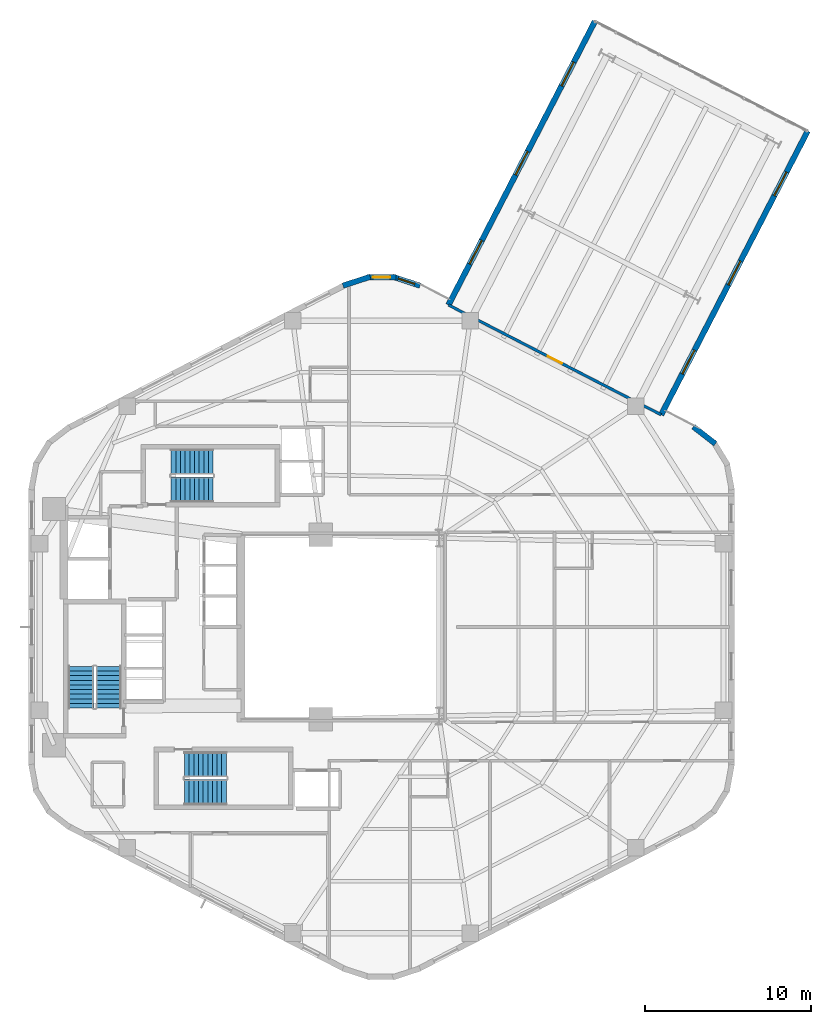
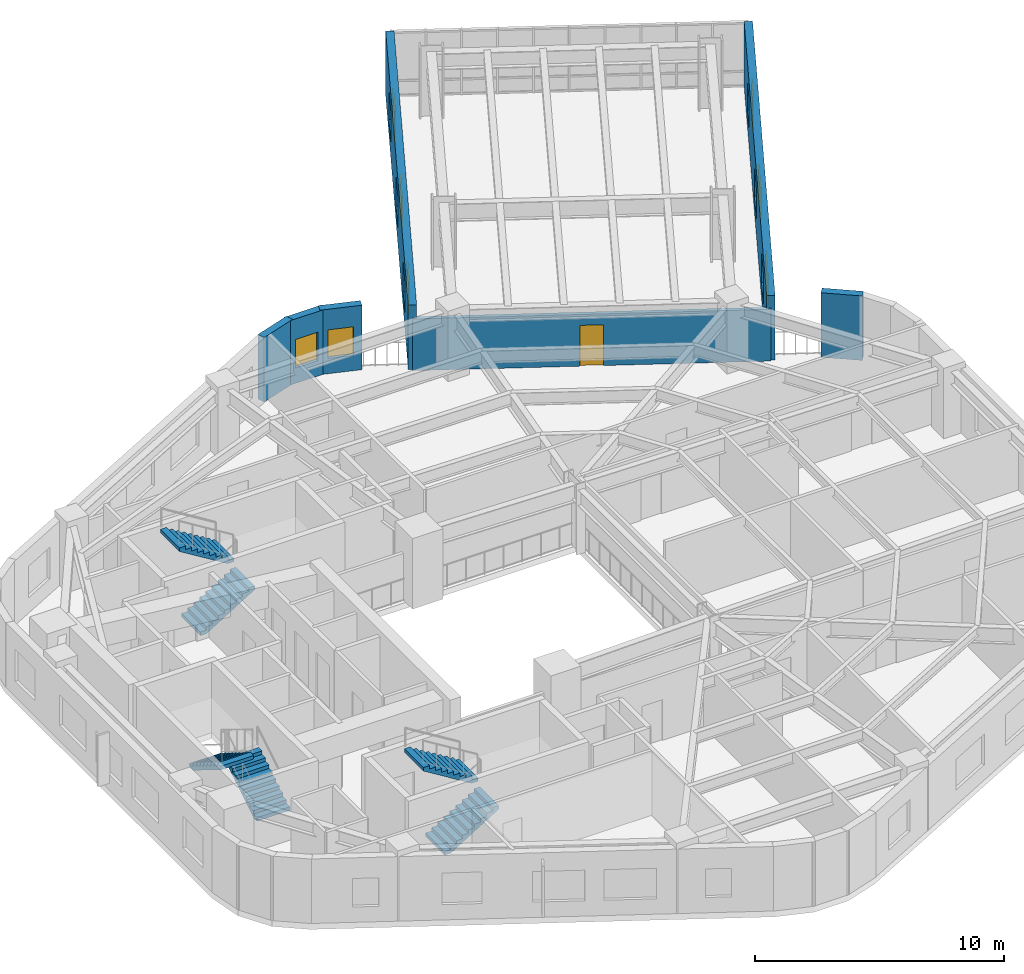
# One storey, part 8 of 10: 8 windows, 7 walls, 6 stair flights, 1 door, 9 openings, 3 elements without a shape of their own.
"""IFC4 building model written with IfcOpenShell, lengths in metres."""

from ifc_helpers import new_model, si_unit, direction, frame, frame_2d, origin, place, context, subcontext, project, spatial, polyline, rectangle, outline, extrude, material, layer, layer_set, type_object, element, fill, aggregate, save


model = new_model("IFC4")

# Units and contexts
model_context = context("Model", 3, precision=1e-05, world=origin(), true_north=direction((0.0, 1.0)))
body_context = subcontext(model_context, "Body", "Model", "MODEL_VIEW")
ifc_project = project(units=[si_unit("LENGTHUNIT", "METRE"), si_unit("AREAUNIT", "SQUARE_METRE"), si_unit("VOLUMEUNIT", "CUBIC_METRE"), si_unit("PLANEANGLEUNIT", "RADIAN"), si_unit("MASSUNIT", "GRAM", prefix="KILO"), si_unit("THERMODYNAMICTEMPERATUREUNIT", "KELVIN"), si_unit("POWERUNIT", "WATT")], contexts=[model_context])

# Site, building, storey
site_placement = place(None, origin())
site = spatial("IfcSite", under=ifc_project, at=site_placement, CompositionType="ELEMENT")
building_placement = place(site_placement, origin())
building = spatial("IfcBuilding", under=site, at=building_placement, Name="Skarre Station Tower", CompositionType="ELEMENT")
storey_placement = place(building_placement, frame((0.0, 0.0, 115.35009765625)))
storey = spatial("IfcBuildingStorey", under=building, at=storey_placement, Name="L30", CompositionType="ELEMENT", Elevation=115.35009765625)

# Wall, openings, windows
ifc_material_1 = material(Name="Precast concrete C45/55", Category="concrete")
ifc_layer_1 = layer(ifc_material_1, 0.340087890625, Name="Precast concrete C45/55")
ifc_layer_set_1 = layer_set([ifc_layer_1], Name="Precast concrete C45/55")
wall_type_1 = type_object("IfcWallType", Name="Nordic Honed Precast Facet Wall 340", PredefinedType="STANDARD", material=ifc_layer_set_1)
wall_1_placement = place(storey_placement, frame((61.6298828125, 53.827880859375, 0.0), z_axis=(0.0, 0.0, 1.0), x_axis=(-0.458697010696, -0.888592737073, 0.0)))
wall_1 = element("IfcWall", 1, at=wall_1_placement, inside=storey, type_object=wall_type_1, Name="L30 SB-2 Side 1 Precast Wall", PredefinedType="STANDARD", context=body_context, shape_type="SweptSolid", body=[
    extrude(rectangle(XDim=19.19970703125, YDim=0.340087890625, at=frame_2d((9.599853515625, 0.0))), origin(), (0.0, 0.0, 1.0), 3.159912109375),
])
opening_1_placement = place(wall_1_placement, frame((2.76708984375, 0.0, 0.75)))
opening_1 = element("IfcOpeningElement", 2, at=opening_1_placement, cuts=wall_1, Name="Opening WN-Z2A", PredefinedType="OPENING", context=body_context, shape_type="SweptSolid", body=[
    extrude(rectangle(XDim=1.60009765625, YDim=1.550048828125, at=frame_2d((0.800048828125, 0.77490234375))), frame((0.0, 0.179931640625, 0.0), z_axis=(0.0, -1.0, 0.0), x_axis=(1.0, 0.0, 0.0)), (0.0, 0.0, 1.0), 0.360107421875),
])
opening_2_placement = place(wall_1_placement, frame((8.800048828125, 0.0, 0.75)))
opening_2 = element("IfcOpeningElement", 3, at=opening_2_placement, cuts=wall_1, Name="Opening WN-Z2A", PredefinedType="OPENING", context=body_context, shape_type="SweptSolid", body=[
    extrude(rectangle(XDim=1.60009765625, YDim=1.550048828125, at=frame_2d((0.800048828125, 0.77490234375))), frame((0.0, 0.179931640625, 0.0), z_axis=(0.0, -1.0, 0.0), x_axis=(1.0, 0.0, 0.0)), (0.0, 0.0, 1.0), 0.360107421875),
])
opening_3_placement = place(wall_1_placement, frame((14.8330078125, 0.0, 0.75)))
opening_3 = element("IfcOpeningElement", 4, at=opening_3_placement, cuts=wall_1, Name="Opening WN-Z2A", PredefinedType="OPENING", context=body_context, shape_type="SweptSolid", body=[
    extrude(rectangle(XDim=1.60009765625, YDim=1.550048828125, at=frame_2d((0.800048828125, 0.77490234375))), frame((0.0, 0.179931640625, 0.0), z_axis=(0.0, -1.0, 0.0), x_axis=(1.0, 0.0, 0.0)), (0.0, 0.0, 1.0), 0.360107421875),
])
ifc_material_2 = material(Name="Low-Iron Triple Glazing with Bronze Anodized Frame", Category="glass")
window_type_1 = type_object("IfcWindowType", Name="Nordic Residential Tall Window 1600x1550", PartitioningType="SINGLE_PANEL", PredefinedType="WINDOW", material=ifc_material_2)
window_1_placement = place(opening_1_placement, origin())
window_1 = element("IfcWindow", 5, at=window_1_placement, inside=storey, type_object=window_type_1, Name="L30 Facade Window WL-SB-2-L30-S1-1", OverallHeight=1.550048828125, OverallWidth=1.60009765625, PartitioningType="SINGLE_PANEL", PredefinedType="WINDOW", context=body_context, shape_type="SweptSolid", body=[
    extrude(rectangle(XDim=1.60009765625, YDim=1.550048828125, at=frame_2d((0.800048828125, 0.77490234375))), frame((0.0, 0.030029296875, 0.0), z_axis=(0.0, -1.0, 0.0), x_axis=(1.0, 0.0, 0.0)), (0.0, 0.0, 1.0), 0.06005859375),
])
fill(opening_1, window_1)
window_2_placement = place(opening_2_placement, origin())
window_2 = element("IfcWindow", 6, at=window_2_placement, inside=storey, type_object=window_type_1, Name="L30 Facade Window WL-SB-2-L30-S1-2", OverallHeight=1.550048828125, OverallWidth=1.60009765625, PartitioningType="SINGLE_PANEL", PredefinedType="WINDOW", context=body_context, shape_type="SweptSolid", body=[
    extrude(rectangle(XDim=1.60009765625, YDim=1.550048828125, at=frame_2d((0.800048828125, 0.77490234375))), frame((0.0, 0.030029296875, 0.0), z_axis=(0.0, -1.0, 0.0), x_axis=(1.0, 0.0, 0.0)), (0.0, 0.0, 1.0), 0.06005859375),
])
fill(opening_2, window_2)
window_3_placement = place(opening_3_placement, origin())
window_3 = element("IfcWindow", 7, at=window_3_placement, inside=storey, type_object=window_type_1, Name="L30 Facade Window WL-SB-2-L30-S1-3", OverallHeight=1.550048828125, OverallWidth=1.60009765625, PartitioningType="SINGLE_PANEL", PredefinedType="WINDOW", context=body_context, shape_type="SweptSolid", body=[
    extrude(rectangle(XDim=1.60009765625, YDim=1.550048828125, at=frame_2d((0.800048828125, 0.77490234375))), frame((0.0, 0.030029296875, 0.0), z_axis=(0.0, -1.0, 0.0), x_axis=(1.0, 0.0, 0.0)), (0.0, 0.0, 1.0), 0.06005859375),
])
fill(opening_3, window_3)

wall_2_placement = place(storey_placement, frame((40.028076171875, 43.3720703125, 0.0), z_axis=(0.0, 0.0, 1.0), x_axis=(0.45865166523, 0.888616143215, 0.0)))
wall_2 = element("IfcWall", 8, at=wall_2_placement, inside=storey, type_object=wall_type_1, Name="L30 SB-2 Side 2 Precast Wall", PredefinedType="STANDARD", context=body_context, shape_type="SweptSolid", body=[
    extrude(rectangle(XDim=19.199462890625, YDim=0.340087890625, at=frame_2d((9.599609375, 0.0))), origin(), (0.0, 0.0, 1.0), 3.159912109375),
])
opening_4_placement = place(wall_2_placement, frame((2.76708984375, 0.0, 0.75)))
opening_4 = element("IfcOpeningElement", 9, at=opening_4_placement, cuts=wall_2, Name="Opening WN-Z2A", PredefinedType="OPENING", context=body_context, shape_type="SweptSolid", body=[
    extrude(rectangle(XDim=1.60009765625, YDim=1.550048828125, at=frame_2d((0.800048828125, 0.77490234375))), frame((0.0, 0.179931640625, 0.0), z_axis=(0.0, -1.0, 0.0), x_axis=(1.0, 0.0, 0.0)), (0.0, 0.0, 1.0), 0.360107421875),
])
opening_5_placement = place(wall_2_placement, frame((8.800048828125, 0.0, 0.75)))
opening_5 = element("IfcOpeningElement", 10, at=opening_5_placement, cuts=wall_2, Name="Opening WN-Z2A", PredefinedType="OPENING", context=body_context, shape_type="SweptSolid", body=[
    extrude(rectangle(XDim=1.60009765625, YDim=1.550048828125, at=frame_2d((0.800048828125, 0.77490234375))), frame((0.0, 0.179931640625, 0.0), z_axis=(0.0, -1.0, 0.0), x_axis=(1.0, 0.0, 0.0)), (0.0, 0.0, 1.0), 0.360107421875),
])
opening_6_placement = place(wall_2_placement, frame((14.8330078125, 0.0, 0.75)))
opening_6 = element("IfcOpeningElement", 11, at=opening_6_placement, cuts=wall_2, Name="Opening WN-Z2A", PredefinedType="OPENING", context=body_context, shape_type="SweptSolid", body=[
    extrude(rectangle(XDim=1.60009765625, YDim=1.550048828125, at=frame_2d((0.800048828125, 0.77490234375))), frame((0.0, 0.179931640625, 0.0), z_axis=(0.0, -1.0, 0.0), x_axis=(1.0, 0.0, 0.0)), (0.0, 0.0, 1.0), 0.360107421875),
])
window_4_placement = place(opening_4_placement, origin())
window_4 = element("IfcWindow", 12, at=window_4_placement, inside=storey, type_object=window_type_1, Name="L30 Facade Window WL-SB-2-L30-S2-1", OverallHeight=1.550048828125, OverallWidth=1.60009765625, PartitioningType="SINGLE_PANEL", PredefinedType="WINDOW", context=body_context, shape_type="SweptSolid", body=[
    extrude(rectangle(XDim=1.60009765625, YDim=1.550048828125, at=frame_2d((0.800048828125, 0.77490234375))), frame((0.0, 0.030029296875, 0.0), z_axis=(0.0, -1.0, 0.0), x_axis=(1.0, 0.0, 0.0)), (0.0, 0.0, 1.0), 0.06005859375),
])
fill(opening_4, window_4)
window_5_placement = place(opening_5_placement, origin())
window_5 = element("IfcWindow", 13, at=window_5_placement, inside=storey, type_object=window_type_1, Name="L30 Facade Window WL-SB-2-L30-S2-2", OverallHeight=1.550048828125, OverallWidth=1.60009765625, PartitioningType="SINGLE_PANEL", PredefinedType="WINDOW", context=body_context, shape_type="SweptSolid", body=[
    extrude(rectangle(XDim=1.60009765625, YDim=1.550048828125, at=frame_2d((0.800048828125, 0.77490234375))), frame((0.0, 0.030029296875, 0.0), z_axis=(0.0, -1.0, 0.0), x_axis=(1.0, 0.0, 0.0)), (0.0, 0.0, 1.0), 0.06005859375),
])
fill(opening_5, window_5)
window_6_placement = place(opening_6_placement, origin())
window_6 = element("IfcWindow", 14, at=window_6_placement, inside=storey, type_object=window_type_1, Name="L30 Facade Window WL-SB-2-L30-S2-3", OverallHeight=1.550048828125, OverallWidth=1.60009765625, PartitioningType="SINGLE_PANEL", PredefinedType="WINDOW", context=body_context, shape_type="SweptSolid", body=[
    extrude(rectangle(XDim=1.60009765625, YDim=1.550048828125, at=frame_2d((0.800048828125, 0.77490234375))), frame((0.0, 0.030029296875, 0.0), z_axis=(0.0, -1.0, 0.0), x_axis=(1.0, 0.0, 0.0)), (0.0, 0.0, 1.0), 0.06005859375),
])
fill(opening_6, window_6)

# Walls
ifc_layer_2 = layer(ifc_material_1, 0.330078125, Name="Precast concrete C45/55")
ifc_layer_set_2 = layer_set([ifc_layer_2], Name="Precast concrete C45/55")
wall_type_2 = type_object("IfcWallType", Name="Nordic Rounded Corner Precast Wall 330", PredefinedType="STANDARD", material=ifc_layer_set_2)
wall_3_placement = place(storey_placement, frame((54.757080078125, 36.050048828125, 0.0), z_axis=(0.0, 0.0, 1.0), x_axis=(0.790621329885, -0.612305408053, 0.0)))
element("IfcWall", 15, at=wall_3_placement, inside=storey, type_object=wall_type_2, Name="L30 Rounded Corner Precast Wall F0-1", PredefinedType="STANDARD", context=body_context, shape_type="SweptSolid", body=[
    extrude(rectangle(XDim=1.67578125, YDim=0.330078125, at=frame_2d((0.837890625, 0.0))), origin(), (0.0, 0.0, 1.0), 3.159912109375),
])
wall_4_placement = place(storey_placement, frame((33.680908203125, 44.531982421875, 0.0), z_axis=(0.0, 0.0, 1.0), x_axis=(0.949937416267, 0.312440242569, 0.0)))
element("IfcWall", 16, at=wall_4_placement, inside=storey, type_object=wall_type_2, Name="L30 Rounded Corner Precast Wall F1-1", PredefinedType="STANDARD", context=body_context, shape_type="SweptSolid", body=[
    extrude(rectangle(XDim=1.72216796875, YDim=0.330078125, at=frame_2d((0.861083984375, 0.0))), origin(), (0.0, 0.0, 1.0), 3.159912109375),
])

# Wall, opening, window
wall_5_placement = place(storey_placement, frame((35.138916015625, 45.041015625, 0.0), z_axis=(0.0, 0.0, 1.0), x_axis=(1.0, 0.0, 0.0)))
wall_5 = element("IfcWall", 17, at=wall_5_placement, inside=storey, type_object=wall_type_2, Name="L30 Rounded Corner Precast Wall F1-2", PredefinedType="STANDARD", context=body_context, shape_type="SweptSolid", body=[
    extrude(rectangle(XDim=1.72216796875, YDim=0.330078125, at=frame_2d((0.861083984375, 0.0))), origin(), (0.0, 0.0, 1.0), 3.159912109375),
])
opening_7_placement = place(wall_5_placement, frame((0.3359375, 0.0, 0.75)))
opening_7 = element("IfcOpeningElement", 18, at=opening_7_placement, cuts=wall_5, Name="Opening WN-SLT", PredefinedType="OPENING", context=body_context, shape_type="SweptSolid", body=[
    extrude(rectangle(XDim=1.050048828125, YDim=1.39990234375, at=frame_2d((0.52490234375, 0.699951171875))), frame((0.0, 0.175048828125, 0.0), z_axis=(0.0, -1.0, 0.0), x_axis=(1.0, 0.0, 0.0)), (0.0, 0.0, 1.0), 0.35009765625),
])
window_type_2 = type_object("IfcWindowType", Name="Nordic Corner Slot Window 1050x1400", PartitioningType="SINGLE_PANEL", PredefinedType="WINDOW", material=ifc_material_2)
window_7_placement = place(opening_7_placement, origin())
window_7 = element("IfcWindow", 19, at=window_7_placement, inside=storey, type_object=window_type_2, Name="L30 Apex Corner Slot Window F1-2", OverallHeight=1.39990234375, OverallWidth=1.050048828125, PartitioningType="SINGLE_PANEL", PredefinedType="WINDOW", context=body_context, shape_type="SweptSolid", body=[
    extrude(rectangle(XDim=1.050048828125, YDim=1.39990234375, at=frame_2d((0.52490234375, 0.699951171875))), frame((0.0, 0.030029296875, 0.0), z_axis=(0.0, -1.0, 0.0), x_axis=(1.0, 0.0, 0.0)), (0.0, 0.0, 1.0), 0.06005859375),
])
fill(opening_7, window_7)

wall_6_placement = place(storey_placement, frame((36.68310546875, 45.070068359375, 0.0), z_axis=(0.0, 0.0, 1.0), x_axis=(0.949937416267, -0.312440242569, 0.0)))
wall_6 = element("IfcWall", 20, at=wall_6_placement, inside=storey, type_object=wall_type_2, Name="L30 Rounded Corner Precast Wall F1-3", PredefinedType="STANDARD", context=body_context, shape_type="SweptSolid", body=[
    extrude(rectangle(XDim=1.72216796875, YDim=0.330078125, at=frame_2d((0.861083984375, 0.0))), origin(), (0.0, 0.0, 1.0), 3.159912109375),
])
opening_8_placement = place(wall_6_placement, frame((0.3359375, 0.0, 0.75)))
opening_8 = element("IfcOpeningElement", 21, at=opening_8_placement, cuts=wall_6, Name="Opening WN-SLT", PredefinedType="OPENING", context=body_context, shape_type="SweptSolid", body=[
    extrude(rectangle(XDim=1.050048828125, YDim=1.39990234375, at=frame_2d((0.52490234375, 0.699951171875))), frame((0.0, 0.175048828125, 0.0), z_axis=(0.0, -1.0, 0.0), x_axis=(1.0, 0.0, 0.0)), (0.0, 0.0, 1.0), 0.35009765625),
])
window_8_placement = place(opening_8_placement, origin())
window_8 = element("IfcWindow", 22, at=window_8_placement, inside=storey, type_object=window_type_2, Name="L30 Apex Corner Slot Window F1-3", OverallHeight=1.39990234375, OverallWidth=1.050048828125, PartitioningType="SINGLE_PANEL", PredefinedType="WINDOW", context=body_context, shape_type="SweptSolid", body=[
    extrude(rectangle(XDim=1.050048828125, YDim=1.39990234375, at=frame_2d((0.52490234375, 0.699951171875))), frame((0.0, 0.030029296875, 0.0), z_axis=(0.0, -1.0, 0.0), x_axis=(1.0, 0.0, 0.0)), (0.0, 0.0, 1.0), 0.06005859375),
])
fill(opening_8, window_8)

# Wall, opening, door
ifc_material_3 = material(Name="Acoustic Steel-Stud Gypsum Partition", Category="steel")
ifc_layer_3 = layer(ifc_material_3, 0.1650390625, Name="Acoustic Steel-Stud Gypsum Partition")
ifc_layer_set_3 = layer_set([ifc_layer_3], Name="Acoustic Steel-Stud Gypsum Partition")
wall_type_3 = type_object("IfcWallType", Name="Suite Demising Acoustic Partition 165", PredefinedType="PARTITIONING", material=ifc_layer_set_3)
wall_7_placement = place(storey_placement, frame((52.822998046875, 36.76708984375, 0.0), z_axis=(0.0, 0.0, 1.0), x_axis=(-0.888588109751, 0.458705974683, 0.0)))
wall_7 = element("IfcWall", 23, at=wall_7_placement, inside=storey, type_object=wall_type_3, Name="L30 Interior Partition WL-PT-L30-SB-2-ROOT", PredefinedType="PARTITIONING", context=body_context, shape_type="SweptSolid", body=[
    extrude(rectangle(XDim=14.399169921875, YDim=0.1650390625, at=frame_2d((7.19970703125, 0.0))), origin(), (0.0, 0.0, 1.0), 2.531982421875),
])
opening_9_placement = place(wall_7_placement, frame((6.719970703125, 0.0, 0.0)))
opening_9 = element("IfcOpeningElement", 24, at=opening_9_placement, cuts=wall_7, Name="Opening DR-FD60", PredefinedType="OPENING", context=body_context, shape_type="SweptSolid", body=[
    extrude(rectangle(XDim=0.9599609375, YDim=2.0, at=frame_2d((0.47998046875, 1.0))), frame((0.0, 0.092529296875, 0.0), z_axis=(0.0, -1.0, 0.0), x_axis=(1.0, 0.0, 0.0)), (0.0, 0.0, 1.0), 0.18505859375),
])
ifc_material_4 = material(Name="Nordic White-Oak Veneer Solid-Core Fire Leaf", Category="wood")
door_type = type_object("IfcDoorType", Name="Corridor Suite Entry Fire Door FD60 960x2150", OperationType="SINGLE_SWING_LEFT", PredefinedType="DOOR", material=ifc_material_4)
door_placement = place(opening_9_placement, origin())
door = element("IfcDoor", 25, at=door_placement, inside=storey, type_object=door_type, Name="L30 SB-2 Horizon Salon Door", OperationType="SINGLE_SWING_LEFT", OverallHeight=2.0, OverallWidth=0.9599609375, PredefinedType="DOOR", context=body_context, shape_type="SweptSolid", body=[
    extrude(rectangle(XDim=0.9599609375, YDim=2.0, at=frame_2d((0.47998046875, 1.0))), frame((0.0, 0.02490234375, 0.0), z_axis=(0.0, -1.0, 0.0), x_axis=(1.0, 0.0, 0.0)), (0.0, 0.0, 1.0), 0.050048828125),
])
fill(opening_9, door)

# Stair, stair flights
ifc_material_5 = material(Name="Concrete C40/50", Category="concrete")
stair_type_1 = type_object("IfcStairType", Name="Reinforced Concrete Exit Stair ST-1", PredefinedType="HALF_TURN_STAIR", material=ifc_material_5)
stair_1_placement = place(storey_placement, origin())
stair_1 = element("IfcStair", 26, at=stair_1_placement, inside=storey, type_object=stair_type_1, Name="L30 Core Exit Stair ST-1", PredefinedType="HALF_TURN_STAIR")
stair_flight_type_1 = type_object("IfcStairFlightType", Name="Reinforced Concrete Stair Flight ST-1", PredefinedType="STRAIGHT", material=ifc_material_5)
stair_flight_1_placement = place(storey_placement, frame((19.590087890625, 19.1201171875, 0.0), z_axis=(0.0, 0.0, 1.0), x_axis=(0.0, 1.0, 0.0)))
stair_flight_1 = element("IfcStairFlight", 27, at=stair_flight_1_placement, type_object=stair_flight_type_1, Name="ST-1 flight 1", NumberOfRisers=10, NumberOfTreads=9, PredefinedType="STRAIGHT", RiserHeight=0.1725, TreadLength=0.28, context=body_context, shape_type="SweptSolid", body=[
    extrude(outline(polyline([(0.0, 0.0), (0.0, 0.172607421875), (0.280029296875, 0.172607421875), (0.280029296875, 0.344970703125), (0.56005859375, 0.344970703125), (0.56005859375, 0.517578125), (0.840087890625, 0.517578125), (0.840087890625, 0.68994140625), (1.1201171875, 0.68994140625), (1.1201171875, 0.862548828125), (1.39990234375, 0.862548828125), (1.39990234375, 1.034912109375), (1.679931640625, 1.034912109375), (1.679931640625, 1.20751953125), (1.9599609375, 1.20751953125), (1.9599609375, 1.3798828125), (2.239990234375, 1.3798828125), (2.239990234375, 1.552490234375), (2.52001953125, 1.552490234375), (2.52001953125, 1.72509765625), (2.52001953125, 1.37646484375), (0.285888671875, 0.0), (0.0, 0.0)])), frame((0.0, 0.760009765625, 0.0), z_axis=(0.0, -1.0, 0.0), x_axis=(1.0, 0.0, 0.0)), (0.0, 0.0, 1.0), 1.52001953125),
])
stair_flight_2_placement = place(storey_placement, frame((17.909912109375, 21.639892578125, 1.724853515625), z_axis=(0.0, 0.0, 1.0), x_axis=(0.0, -1.0, 0.0)))
stair_flight_2 = element("IfcStairFlight", 28, at=stair_flight_2_placement, type_object=stair_flight_type_1, Name="ST-1 flight 2", NumberOfRisers=10, NumberOfTreads=9, PredefinedType="STRAIGHT", RiserHeight=0.1725, TreadLength=0.28, context=body_context, shape_type="SweptSolid", body=[
    extrude(outline(polyline([(0.0, 0.0), (0.0, 0.172607421875), (0.280029296875, 0.172607421875), (0.280029296875, 0.344970703125), (0.56005859375, 0.344970703125), (0.56005859375, 0.517578125), (0.840087890625, 0.517578125), (0.840087890625, 0.68994140625), (1.1201171875, 0.68994140625), (1.1201171875, 0.862548828125), (1.39990234375, 0.862548828125), (1.39990234375, 1.034912109375), (1.679931640625, 1.034912109375), (1.679931640625, 1.20751953125), (1.9599609375, 1.20751953125), (1.9599609375, 1.3798828125), (2.239990234375, 1.3798828125), (2.239990234375, 1.552490234375), (2.52001953125, 1.552490234375), (2.52001953125, 1.72509765625), (2.52001953125, 1.37646484375), (0.285888671875, 0.0), (0.0, 0.0)])), frame((0.0, 0.760009765625, 0.0), z_axis=(0.0, -1.0, 0.0), x_axis=(1.0, 0.0, 0.0)), (0.0, 0.0, 1.0), 1.52001953125),
])
aggregate(stair_1, [stair_flight_1, stair_flight_2])

stair_type_2 = type_object("IfcStairType", Name="Reinforced Concrete Exit Stair ST-2", PredefinedType="HALF_TURN_STAIR", material=ifc_material_5)
stair_2_placement = place(storey_placement, origin())
stair_2 = element("IfcStair", 29, at=stair_2_placement, inside=storey, type_object=stair_type_2, Name="L30 Core Exit Stair ST-2", PredefinedType="HALF_TURN_STAIR")
stair_flight_type_2 = type_object("IfcStairFlightType", Name="Reinforced Concrete Stair Flight ST-2", PredefinedType="STRAIGHT", material=ifc_material_5)
stair_flight_3_placement = place(storey_placement, frame((24.14990234375, 14.06005859375, 0.0), z_axis=(0.0, 0.0, 1.0), x_axis=(1.0, 0.0, 0.0)))
stair_flight_3 = element("IfcStairFlight", 30, at=stair_flight_3_placement, type_object=stair_flight_type_2, Name="ST-2 flight 1", NumberOfRisers=10, NumberOfTreads=9, PredefinedType="STRAIGHT", RiserHeight=0.1725, TreadLength=0.28, context=body_context, shape_type="SweptSolid", body=[
    extrude(outline(polyline([(0.0, 0.0), (0.0, 0.172607421875), (0.280029296875, 0.172607421875), (0.280029296875, 0.344970703125), (0.56005859375, 0.344970703125), (0.56005859375, 0.517578125), (0.840087890625, 0.517578125), (0.840087890625, 0.68994140625), (1.1201171875, 0.68994140625), (1.1201171875, 0.862548828125), (1.39990234375, 0.862548828125), (1.39990234375, 1.034912109375), (1.679931640625, 1.034912109375), (1.679931640625, 1.20751953125), (1.9599609375, 1.20751953125), (1.9599609375, 1.3798828125), (2.239990234375, 1.3798828125), (2.239990234375, 1.552490234375), (2.52001953125, 1.552490234375), (2.52001953125, 1.72509765625), (2.52001953125, 1.37646484375), (0.285888671875, 0.0), (0.0, 0.0)])), frame((0.0, 0.760009765625, 0.0), z_axis=(0.0, -1.0, 0.0), x_axis=(1.0, 0.0, 0.0)), (0.0, 0.0, 1.0), 1.52001953125),
])
stair_flight_4_placement = place(storey_placement, frame((26.669921875, 15.739990234375, 1.724853515625), z_axis=(0.0, 0.0, 1.0), x_axis=(-1.0, 0.0, 0.0)))
stair_flight_4 = element("IfcStairFlight", 31, at=stair_flight_4_placement, type_object=stair_flight_type_2, Name="ST-2 flight 2", NumberOfRisers=10, NumberOfTreads=9, PredefinedType="STRAIGHT", RiserHeight=0.1725, TreadLength=0.28, context=body_context, shape_type="SweptSolid", body=[
    extrude(outline(polyline([(0.0, 0.0), (0.0, 0.172607421875), (0.280029296875, 0.172607421875), (0.280029296875, 0.344970703125), (0.56005859375, 0.344970703125), (0.56005859375, 0.517578125), (0.840087890625, 0.517578125), (0.840087890625, 0.68994140625), (1.1201171875, 0.68994140625), (1.1201171875, 0.862548828125), (1.39990234375, 0.862548828125), (1.39990234375, 1.034912109375), (1.679931640625, 1.034912109375), (1.679931640625, 1.20751953125), (1.9599609375, 1.20751953125), (1.9599609375, 1.3798828125), (2.239990234375, 1.3798828125), (2.239990234375, 1.552490234375), (2.52001953125, 1.552490234375), (2.52001953125, 1.72509765625), (2.52001953125, 1.37646484375), (0.285888671875, 0.0), (0.0, 0.0)])), frame((0.0, 0.760009765625, 0.0), z_axis=(0.0, -1.0, 0.0), x_axis=(1.0, 0.0, 0.0)), (0.0, 0.0, 1.0), 1.52001953125),
])
aggregate(stair_2, [stair_flight_3, stair_flight_4])

stair_type_3 = type_object("IfcStairType", Name="Reinforced Concrete Exit Stair ST-3", PredefinedType="HALF_TURN_STAIR", material=ifc_material_5)
stair_3_placement = place(storey_placement, origin())
stair_3 = element("IfcStair", 32, at=stair_3_placement, inside=storey, type_object=stair_type_3, Name="L30 Core Exit Stair ST-3", PredefinedType="HALF_TURN_STAIR")
stair_flight_type_3 = type_object("IfcStairFlightType", Name="Reinforced Concrete Stair Flight ST-3", PredefinedType="STRAIGHT", material=ifc_material_5)
stair_flight_5_placement = place(storey_placement, frame((23.35009765625, 32.260009765625, 0.0), z_axis=(0.0, 0.0, 1.0), x_axis=(1.0, 0.0, 0.0)))
stair_flight_5 = element("IfcStairFlight", 33, at=stair_flight_5_placement, type_object=stair_flight_type_3, Name="ST-3 flight 1", NumberOfRisers=10, NumberOfTreads=9, PredefinedType="STRAIGHT", RiserHeight=0.1725, TreadLength=0.28, context=body_context, shape_type="SweptSolid", body=[
    extrude(outline(polyline([(0.0, 0.0), (0.0, 0.172607421875), (0.280029296875, 0.172607421875), (0.280029296875, 0.344970703125), (0.56005859375, 0.344970703125), (0.56005859375, 0.517578125), (0.840087890625, 0.517578125), (0.840087890625, 0.68994140625), (1.1201171875, 0.68994140625), (1.1201171875, 0.862548828125), (1.39990234375, 0.862548828125), (1.39990234375, 1.034912109375), (1.679931640625, 1.034912109375), (1.679931640625, 1.20751953125), (1.9599609375, 1.20751953125), (1.9599609375, 1.3798828125), (2.239990234375, 1.3798828125), (2.239990234375, 1.552490234375), (2.52001953125, 1.552490234375), (2.52001953125, 1.72509765625), (2.52001953125, 1.37646484375), (0.285888671875, 0.0), (0.0, 0.0)])), frame((0.0, 0.760009765625, 0.0), z_axis=(0.0, -1.0, 0.0), x_axis=(1.0, 0.0, 0.0)), (0.0, 0.0, 1.0), 1.52001953125),
])
stair_flight_6_placement = place(storey_placement, frame((25.8701171875, 33.93994140625, 1.724853515625), z_axis=(0.0, 0.0, 1.0), x_axis=(-1.0, 0.0, 0.0)))
stair_flight_6 = element("IfcStairFlight", 34, at=stair_flight_6_placement, type_object=stair_flight_type_3, Name="ST-3 flight 2", NumberOfRisers=10, NumberOfTreads=9, PredefinedType="STRAIGHT", RiserHeight=0.1725, TreadLength=0.28, context=body_context, shape_type="SweptSolid", body=[
    extrude(outline(polyline([(0.0, 0.0), (0.0, 0.172607421875), (0.280029296875, 0.172607421875), (0.280029296875, 0.344970703125), (0.56005859375, 0.344970703125), (0.56005859375, 0.517578125), (0.840087890625, 0.517578125), (0.840087890625, 0.68994140625), (1.1201171875, 0.68994140625), (1.1201171875, 0.862548828125), (1.39990234375, 0.862548828125), (1.39990234375, 1.034912109375), (1.679931640625, 1.034912109375), (1.679931640625, 1.20751953125), (1.9599609375, 1.20751953125), (1.9599609375, 1.3798828125), (2.239990234375, 1.3798828125), (2.239990234375, 1.552490234375), (2.52001953125, 1.552490234375), (2.52001953125, 1.72509765625), (2.52001953125, 1.37646484375), (0.285888671875, 0.0), (0.0, 0.0)])), frame((0.0, 0.760009765625, 0.0), z_axis=(0.0, -1.0, 0.0), x_axis=(1.0, 0.0, 0.0)), (0.0, 0.0, 1.0), 1.52001953125),
])
aggregate(stair_3, [stair_flight_5, stair_flight_6])

save(model, "model.ifc")
